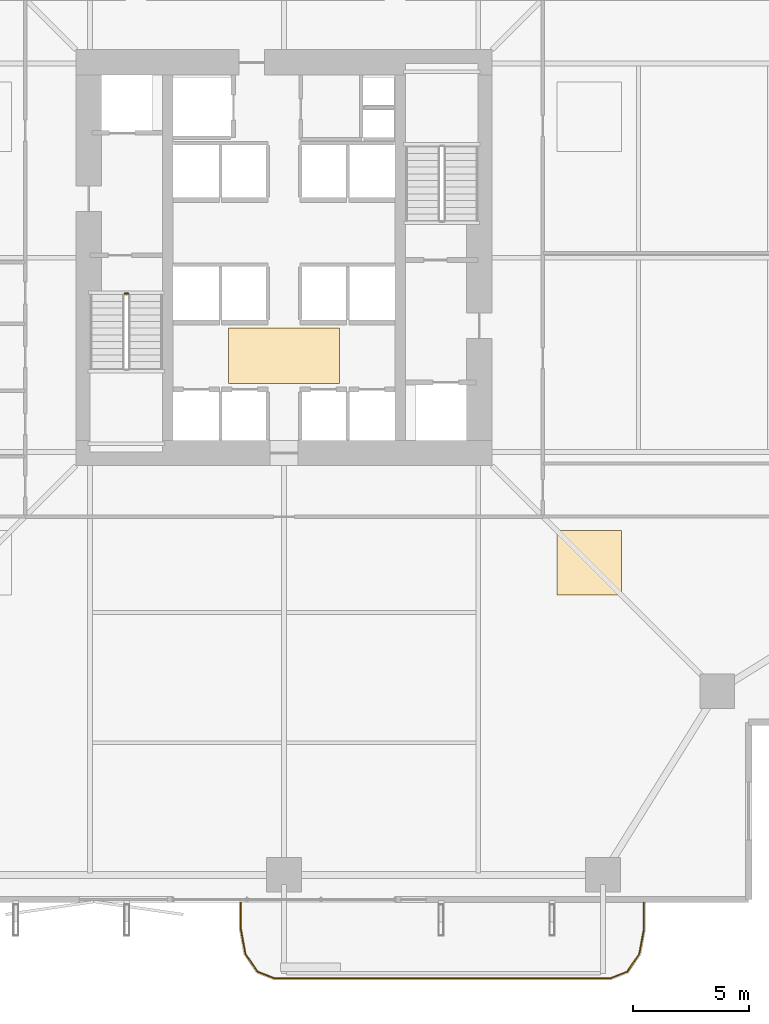
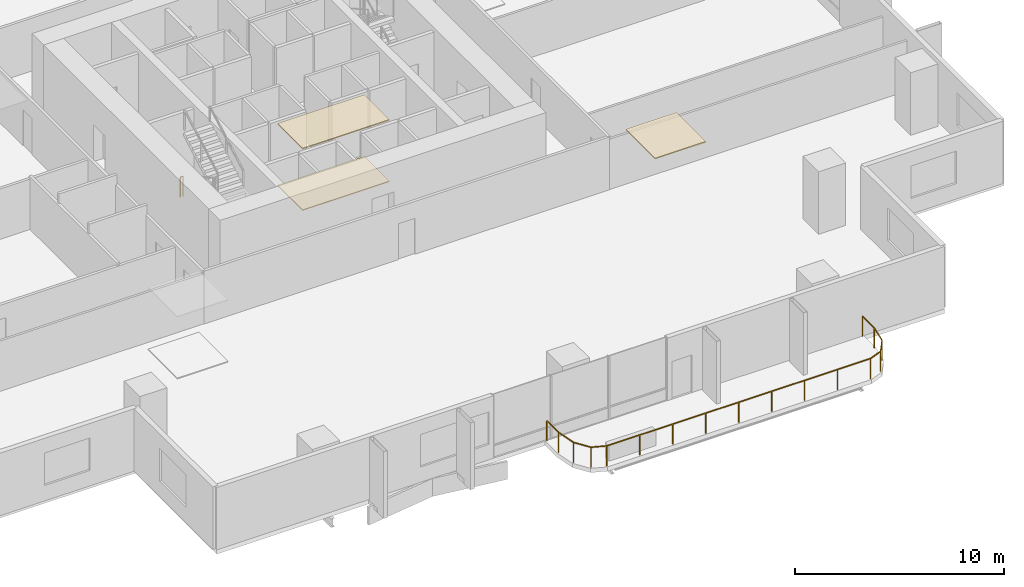
# One storey, part 21 of 23: 3 coverings, 2 railings.
"""IFC4 building model written with IfcOpenShell, lengths in metres."""

import ifcopenshell
import ifcopenshell.guid

model = None  # the IFC model being written
_history = None  # IfcOwnerHistory: only IFC2X3 demands one
_inside = {}  # id of a spatial element -> (the spatial element, [elements in it])
_under = {}  # id of a project, library or spatial element -> (it, [spatial elements below it])
_declared = {}  # id of a project -> (the project, [libraries it declares])
_typed = {}  # id of a type object -> (the type object, [elements of that type])
_made_of = {}  # id of a material, layer set ... -> (it, [elements and type objects made of it])


def new_model(schema):
    """Start an empty IFC model of exactly this schema.

    Asked for "IFC4X3", IfcOpenShell would pick the latest addendum, in which some entities
    have other attributes; the version numbers below select the first issue.
    IFC2X3 requires an IfcOwnerHistory on every rooted entity: one is made here for all.
    """
    global model, _history
    if schema == "IFC4X3":
        model = ifcopenshell.file(schema_version=(4, 3, 0, 0))
    else:
        model = ifcopenshell.file(schema=schema)
    _inside.clear()
    _under.clear()
    _declared.clear()
    _typed.clear()
    _made_of.clear()
    _history = None
    if model.schema == "IFC2X3":
        org = make("IfcOrganization", Name="unknown")
        user = make(
            "IfcPersonAndOrganization",
            ThePerson=make("IfcPerson", FamilyName="unknown"),
            TheOrganization=org,
        )
        app = make(
            "IfcApplication",
            ApplicationDeveloper=org,
            Version="unknown",
            ApplicationFullName="unknown",
            ApplicationIdentifier="unknown",
        )
        _history = make(
            "IfcOwnerHistory",
            OwningUser=user,
            OwningApplication=app,
            ChangeAction="ADDED",
            CreationDate=0,
        )
    return model


def make(cls, **values):
    """One entity of the class cls with the attributes given. An attribute that is None is left unset."""
    return model.create_entity(
        cls, **{name: value for name, value in values.items() if value is not None}
    )


def rooted(cls, **values):
    """An entity with a GlobalId (a new one), such as an element, a storey or a relation."""
    return make(cls, GlobalId=ifcopenshell.guid.new(), OwnerHistory=_history, **values)


def si_unit(unit_type, name, prefix=None):
    """IfcSIUnit, for example si_unit("LENGTHUNIT", "METRE", prefix="MILLI")."""
    return make("IfcSIUnit", UnitType=unit_type, Prefix=prefix, Name=name)


def assignment(units):
    """IfcUnitAssignment: the units of a project."""
    return None if units is None else make("IfcUnitAssignment", Units=units)


def point(xyz):
    """IfcCartesianPoint."""
    return None if xyz is None else make("IfcCartesianPoint", Coordinates=xyz)


def direction(xyz):
    """IfcDirection."""
    return None if xyz is None else make("IfcDirection", DirectionRatios=xyz)


def frame(location, z_axis=None, x_axis=None):
    """IfcAxis2Placement3D, a coordinate frame: its origin and axes. An axis left out is left unset."""
    return make(
        "IfcAxis2Placement3D",
        Location=point(location),
        Axis=direction(z_axis),
        RefDirection=direction(x_axis),
    )


def frame_2d(location, x_axis=None):
    """IfcAxis2Placement2D, a coordinate frame in the plane: its origin and x axis."""
    return make(
        "IfcAxis2Placement2D", Location=point(location), RefDirection=direction(x_axis)
    )


def origin():
    """The frame at (0, 0, 0) with its axes left unset."""
    return frame((0.0, 0.0, 0.0))


def origin_2d():
    """The frame at (0, 0) in the plane with its x axis left unset."""
    return frame_2d((0.0, 0.0))


def place(relative_to, where):
    """IfcLocalPlacement: puts the frame where relative to a parent placement (None: the world)."""
    return make(
        "IfcLocalPlacement", PlacementRelTo=relative_to, RelativePlacement=where
    )


def context(
    kind, dimensions, precision=None, world=None, true_north=None, identifier=None
):
    """IfcGeometricRepresentationContext, for example the 3D "Model" context."""
    return make(
        "IfcGeometricRepresentationContext",
        ContextIdentifier=identifier,
        ContextType=kind,
        CoordinateSpaceDimension=dimensions,
        Precision=precision,
        WorldCoordinateSystem=world,
        TrueNorth=true_north,
    )


def subcontext(parent, identifier, kind, view, scale=None):
    """IfcGeometricRepresentationSubContext, for example "Body" below "Model"."""
    return make(
        "IfcGeometricRepresentationSubContext",
        ContextIdentifier=identifier,
        ContextType=kind,
        ParentContext=parent,
        TargetScale=scale,
        TargetView=view,
    )


def project(units=None, contexts=None):
    """IfcProject with its units and contexts."""
    return rooted(
        "IfcProject",
        Name="project",
        RepresentationContexts=contexts,
        UnitsInContext=assignment(units),
    )


def spatial(cls, under=None, at=None, **own):
    """A site, building, storey or space (cls), placed at a placement, below another one or the project."""
    s = rooted(cls, ObjectPlacement=at, **own)
    if under is not None:
        _under.setdefault(under.id(), (under, []))[1].append(s)
    return s


def polyline(points):
    """IfcPolyline through the points."""
    return make("IfcPolyline", Points=[point(p) for p in points])


def profile(cls, at=None, kind="AREA", **sizes):
    """A parametric profile (cls). Its sizes go by their IFC names, for example OverallWidth=200.0."""
    return make(cls, ProfileType=kind, Position=at, **sizes)


def rectangle(**sizes):
    """IfcRectangleProfileDef."""
    return profile("IfcRectangleProfileDef", **sizes)


def outline(outer, holes=None, kind="AREA"):
    """IfcArbitraryClosedProfileDef: a profile drawn as a closed curve; with holes, ...WithVoids."""
    if holes is None:
        return make("IfcArbitraryClosedProfileDef", ProfileType=kind, OuterCurve=outer)
    return make(
        "IfcArbitraryProfileDefWithVoids",
        ProfileType=kind,
        OuterCurve=outer,
        InnerCurves=holes,
    )


def extrude(swept, where, along, depth):
    """IfcExtrudedAreaSolid: the profile swept, set in the frame where, extruded along a direction by depth."""
    return make(
        "IfcExtrudedAreaSolid",
        SweptArea=swept,
        Position=where,
        ExtrudedDirection=direction(along),
        Depth=depth,
    )


def shape(context_of_items, identifier, shape_type, items):
    """IfcShapeRepresentation: the items that make up one representation, for example the "Body"."""
    return make(
        "IfcShapeRepresentation",
        ContextOfItems=context_of_items,
        RepresentationIdentifier=identifier,
        RepresentationType=shape_type,
        Items=items,
    )


def material(Name=None, Category=None):
    """IfcMaterial."""
    return make("IfcMaterial", Name=Name, Category=Category)


def layer(
    of_material, thickness, ventilated=None, Name=None, Category=None, Priority=None
):
    """IfcMaterialLayer: one layer of a wall or slab, of a material (None: an air gap)."""
    return make(
        "IfcMaterialLayer",
        Material=of_material,
        LayerThickness=thickness,
        IsVentilated=ventilated,
        Name=Name,
        Category=Category,
        Priority=Priority,
    )


def layer_set(layers, Name=None):
    """IfcMaterialLayerSet."""
    return make("IfcMaterialLayerSet", MaterialLayers=layers, LayerSetName=Name)


def made_of(thing, what):
    """Note that an element or type object is made of a material, layer set ...; save() writes the relation."""
    if what is not None:
        _made_of.setdefault(what.id(), (what, []))[1].append(thing)
    return thing


def type_object(cls, material=None, **own):
    """A type object (cls), such as IfcWallType, which elements share."""
    return made_of(rooted(cls, **own), material)


def element(
    cls,
    number,
    at=None,
    inside=None,
    cuts=None,
    type_object=None,
    material=None,
    context=None,
    identifier="Body",
    shape_type=None,
    held_by="IfcProductDefinitionShape",
    body=None,
    shapes=None,
    **own,
):
    """One element of the class cls, such as IfcWall. Its Tag is "e" and its number.

    at: its placement. inside: the storey or other place that contains it. cuts: it is an
    opening in that element (IfcRelVoidsElement). A single representation is given by context,
    identifier, shape_type and body (its items); several are given by shapes. held_by: the class
    of the entity that holds the representations. save() writes the other relations.
    """
    e = rooted(cls, Tag="e%d" % number, ObjectPlacement=at, **own)
    if body is not None:
        shapes = [shape(context, identifier, shape_type, body)]
    if shapes is not None:
        e.Representation = make(held_by, Representations=shapes)
    if inside is not None:
        _inside.setdefault(inside.id(), (inside, []))[1].append(e)
    if cuts is not None:
        rooted(
            "IfcRelVoidsElement", RelatingBuildingElement=cuts, RelatedOpeningElement=e
        )
    if type_object is not None:
        _typed.setdefault(type_object.id(), (type_object, []))[1].append(e)
    return made_of(e, material)


def aggregate(whole, parts):
    """IfcRelAggregates: a whole, such as a stair, and the parts it consists of."""
    return rooted("IfcRelAggregates", RelatingObject=whole, RelatedObjects=parts)


def save(model, path):
    """Write the relations noted so far, then the file.

    IfcRelAggregates (storeys below a building ...), IfcRelContainedInSpatialStructure (elements
    in a storey), IfcRelDefinesByType, IfcRelAssociatesMaterial and IfcRelDeclares: one each for
    every whole, place, type object, material and project.
    """
    for whole, parts in _under.values():
        aggregate(whole, parts)
    for where, things in _inside.values():
        rooted(
            "IfcRelContainedInSpatialStructure",
            RelatedElements=things,
            RelatingStructure=where,
        )
    for kind, things in _typed.values():
        rooted("IfcRelDefinesByType", RelatedObjects=things, RelatingType=kind)
    for what, things in _made_of.values():
        rooted("IfcRelAssociatesMaterial", RelatedObjects=things, RelatingMaterial=what)
    for by, libraries in _declared.values():
        rooted("IfcRelDeclares", RelatingContext=by, RelatedDefinitions=libraries)
    model.write(path)


model = new_model("IFC4")

# Units and contexts
model_context = context("Model", 3, precision=1e-05, world=origin(), true_north=direction((0.0, 1.0)))
body_context = subcontext(model_context, "Body", "Model", "MODEL_VIEW")
ifc_project = project(units=[si_unit("LENGTHUNIT", "METRE"), si_unit("AREAUNIT", "SQUARE_METRE"), si_unit("VOLUMEUNIT", "CUBIC_METRE"), si_unit("PLANEANGLEUNIT", "RADIAN"), si_unit("MASSUNIT", "GRAM", prefix="KILO")], contexts=[model_context])

# Site, building, storey
site_placement = place(None, origin())
site = spatial("IfcSite", under=ifc_project, at=site_placement, CompositionType="ELEMENT")
building_placement = place(site_placement, origin())
building = spatial("IfcBuilding", under=site, at=building_placement, Name="Belovzor Exchange Tower", CompositionType="ELEMENT")
storey_placement = place(building_placement, frame((0.0, 0.0, 84.60009765625)))
storey = spatial("IfcBuildingStorey", under=building, at=storey_placement, Name="L20", CompositionType="ELEMENT", Elevation=84.60009765625)

# Railings
ifc_material_1 = material(Name="Stainless Steel and Laminated Safety Glass", Category="steel")
railing_type_1 = type_object("IfcRailingType", Name="Laminated Glass & Stainless Steel Balcony Balustrade 1200", PredefinedType="BALUSTRADE", material=ifc_material_1)
railing_1_placement = place(storey_placement, frame((26.929931640625, 0.889892578125, 0.0)))
element("IfcRailing", 1, at=railing_1_placement, inside=storey, type_object=railing_type_1, Name="GR-1 Balcony Balustrade L20 South", PredefinedType="BALUSTRADE", context=body_context, shape_type="SweptSolid", body=[
    extrude(rectangle(XDim=0.048095703125, YDim=0.048095703125, at=origin_2d()), frame((0.0, 0.0, 1.17578125), z_axis=(0.0, -1.0, 0.0), x_axis=(1.0, 0.0, 0.0)), (0.0, 0.0, 1.0), 1.1328125),
    extrude(rectangle(XDim=0.048095703125, YDim=0.048095703125, at=origin_2d()), frame((0.0, -1.1328125, 1.17578125), z_axis=(0.180083182347, -0.983651385113, 0.0), x_axis=(0.983651385113, 0.180083182347, 0.0)), (0.0, 0.0, 1.0), 1.093994140625),
    extrude(rectangle(XDim=0.048095703125, YDim=0.048095703125, at=origin_2d()), frame((0.197021484375, -2.208984375, 1.17578125), z_axis=(0.56294695933, -0.826493025367, 0.0), x_axis=(0.826493025367, 0.56294695933, 0.0)), (0.0, 0.0, 1.0), 0.932861328125),
    extrude(rectangle(XDim=0.048095703125, YDim=0.048095703125, at=origin_2d()), frame((0.72216796875, -2.97998046875, 1.17578125), z_axis=(0.930766990125, -0.365612923861, 0.0), x_axis=(0.365612923861, 0.930766990125, 0.0)), (0.0, 0.0, 1.0), 0.765869140625),
    extrude(rectangle(XDim=0.048095703125, YDim=0.048095703125, at=origin_2d()), frame((1.43505859375, -3.260009765625, 1.17578125), z_axis=(1.0, 0.0, 0.0), x_axis=(0.0, 1.0, 0.0)), (0.0, 0.0, 1.0), 14.570068359375),
    extrude(rectangle(XDim=0.048095703125, YDim=0.048095703125, at=origin_2d()), frame((16.005126953125, -3.260009765625, 1.17578125), z_axis=(0.930766990125, 0.365612923861, 0.0), x_axis=(-0.365612923861, 0.930766990125, 0.0)), (0.0, 0.0, 1.0), 0.765869140625),
    extrude(rectangle(XDim=0.048095703125, YDim=0.048095703125, at=origin_2d()), frame((16.718017578125, -2.97998046875, 1.17578125), z_axis=(0.56294695933, 0.826493025367, 0.0), x_axis=(-0.826493025367, 0.56294695933, 0.0)), (0.0, 0.0, 1.0), 0.932861328125),
    extrude(rectangle(XDim=0.048095703125, YDim=0.048095703125, at=origin_2d()), frame((17.2431640625, -2.208984375, 1.17578125), z_axis=(0.180083182347, 0.983651385113, 0.0), x_axis=(-0.983651385113, 0.180083182347, 0.0)), (0.0, 0.0, 1.0), 1.093994140625),
    extrude(rectangle(XDim=0.048095703125, YDim=0.048095703125, at=origin_2d()), frame((17.440185546875, -1.1328125, 1.17578125), z_axis=(0.0, 1.0, 0.0), x_axis=(-1.0, 0.0, 0.0)), (0.0, 0.0, 1.0), 1.1328125),
    extrude(rectangle(XDim=0.0419921875, YDim=0.0419921875, at=origin_2d()), origin(), (0.0, 0.0, 1.0), 1.15185546875),
    extrude(rectangle(XDim=0.0419921875, YDim=0.0419921875, at=origin_2d()), frame((0.0, -1.1328125, 0.0)), (0.0, 0.0, 1.0), 1.15185546875),
    extrude(rectangle(XDim=0.0419921875, YDim=0.0419921875, at=origin_2d()), frame((0.197021484375, -2.208984375, 0.0)), (0.0, 0.0, 1.0), 1.15185546875),
    extrude(rectangle(XDim=0.0419921875, YDim=0.0419921875, at=origin_2d()), frame((0.72216796875, -2.97998046875, 0.0)), (0.0, 0.0, 1.0), 1.15185546875),
    extrude(rectangle(XDim=0.0419921875, YDim=0.0419921875, at=origin_2d()), frame((1.43505859375, -3.260009765625, 0.0)), (0.0, 0.0, 1.0), 1.15185546875),
    extrude(rectangle(XDim=0.0419921875, YDim=0.0419921875, at=origin_2d()), frame((3.25634765625, -3.260009765625, 0.0)), (0.0, 0.0, 1.0), 1.15185546875),
    extrude(rectangle(XDim=0.0419921875, YDim=0.0419921875, at=origin_2d()), frame((5.07763671875, -3.260009765625, 0.0)), (0.0, 0.0, 1.0), 1.15185546875),
    extrude(rectangle(XDim=0.0419921875, YDim=0.0419921875, at=origin_2d()), frame((6.89892578125, -3.260009765625, 0.0)), (0.0, 0.0, 1.0), 1.15185546875),
    extrude(rectangle(XDim=0.0419921875, YDim=0.0419921875, at=origin_2d()), frame((8.72021484375, -3.260009765625, 0.0)), (0.0, 0.0, 1.0), 1.15185546875),
    extrude(rectangle(XDim=0.0419921875, YDim=0.0419921875, at=origin_2d()), frame((10.541259765625, -3.260009765625, 0.0)), (0.0, 0.0, 1.0), 1.15185546875),
    extrude(rectangle(XDim=0.0419921875, YDim=0.0419921875, at=origin_2d()), frame((12.362548828125, -3.260009765625, 0.0)), (0.0, 0.0, 1.0), 1.15185546875),
    extrude(rectangle(XDim=0.0419921875, YDim=0.0419921875, at=origin_2d()), frame((14.183837890625, -3.260009765625, 0.0)), (0.0, 0.0, 1.0), 1.15185546875),
    extrude(rectangle(XDim=0.0419921875, YDim=0.0419921875, at=origin_2d()), frame((16.005126953125, -3.260009765625, 0.0)), (0.0, 0.0, 1.0), 1.15185546875),
    extrude(rectangle(XDim=0.0419921875, YDim=0.0419921875, at=origin_2d()), frame((16.718017578125, -2.97998046875, 0.0)), (0.0, 0.0, 1.0), 1.15185546875),
    extrude(rectangle(XDim=0.0419921875, YDim=0.0419921875, at=origin_2d()), frame((17.2431640625, -2.208984375, 0.0)), (0.0, 0.0, 1.0), 1.15185546875),
    extrude(rectangle(XDim=0.0419921875, YDim=0.0419921875, at=origin_2d()), frame((17.440185546875, -1.1328125, 0.0)), (0.0, 0.0, 1.0), 1.15185546875),
    extrude(rectangle(XDim=0.0419921875, YDim=0.0419921875, at=origin_2d()), frame((17.440185546875, 0.0, 0.0)), (0.0, 0.0, 1.0), 1.15185546875),
])
ifc_material_2 = material(Name="Steel S355", Category="steel")
railing_type_2 = type_object("IfcRailingType", Name="Painted Steel Stairwell Guardrail 1200", PredefinedType="GUARDRAIL", material=ifc_material_2)
railing_2_placement = place(storey_placement, frame((21.89990234375, 27.25, 0.0)))
element("IfcRailing", 2, at=railing_2_placement, inside=storey, type_object=railing_type_2, Name="L20 ST-1 stair guard 4", PredefinedType="GUARDRAIL", context=body_context, shape_type="SweptSolid", body=[
    extrude(rectangle(XDim=0.048095703125, YDim=0.048095703125, at=origin_2d()), frame((0.0, 0.0, 1.17578125), z_axis=(1.0, 0.0, 0.0), x_axis=(0.0, 1.0, 0.0)), (0.0, 0.0, 1.0), 0.150146484375),
    extrude(rectangle(XDim=0.0419921875, YDim=0.0419921875, at=origin_2d()), origin(), (0.0, 0.0, 1.0), 1.15185546875),
    extrude(rectangle(XDim=0.0419921875, YDim=0.0419921875, at=origin_2d()), frame((0.150146484375, 0.0, 0.0)), (0.0, 0.0, 1.0), 1.15185546875),
])

# Coverings
ifc_material_3 = material(Name="Perforated Powder-Coated Aluminium", Category="aluminium")
ifc_layer_1 = layer(ifc_material_3, 0.06005859375)
ifc_layer_set_1 = layer_set([ifc_layer_1], Name="Perforated Powder-Coated Aluminium")
covering_type_1 = type_object("IfcCoveringType", Name="Perforated Acoustic Metal Tile Suspended Ceiling 60", PredefinedType="CEILING", material=ifc_layer_set_1)
covering_1_placement = place(storey_placement, frame((0.0, 0.0, 3.58984375)))
element("IfcCovering", 3, at=covering_1_placement, inside=storey, type_object=covering_type_1, Name="CLG-AC60 Suspended Ceiling CLG-L20-LOB", PredefinedType="CEILING", context=body_context, shape_type="SweptSolid", body=[
    extrude(outline(polyline([(26.39990234375, 23.35009765625), (31.199951171875, 23.35009765625), (31.199951171875, 25.75), (26.39990234375, 25.75), (26.39990234375, 23.35009765625)])), origin(), (0.0, 0.0, 1.0), 0.06005859375),
])
covering_2_placement = place(storey_placement, frame((0.0, 0.0, 3.58984375)))
element("IfcCovering", 4, at=covering_2_placement, inside=storey, type_object=covering_type_1, Name="CLG-AC60 Suspended Ceiling CLG-L20-Z1", PredefinedType="CEILING", context=body_context, shape_type="SweptSolid", body=[
    extrude(outline(polyline([(40.60009765625, 14.199951171875), (43.39990234375, 14.199951171875), (43.39990234375, 17.0), (40.60009765625, 17.0), (40.60009765625, 14.199951171875)])), origin(), (0.0, 0.0, 1.0), 0.06005859375),
])
ifc_material_4 = material(Name="Polished Natural Granite Tile", Category="masonry")
ifc_layer_2 = layer(ifc_material_4, 0.050048828125)
ifc_layer_set_2 = layer_set([ifc_layer_2], Name="Polished Natural Granite Tile")
covering_type_2 = type_object("IfcCoveringType", Name="Polished Karelian Granite & Raised Access Floor Finish 50", PredefinedType="FLOORING", material=ifc_layer_set_2)
covering_3_placement = place(storey_placement, origin())
element("IfcCovering", 5, at=covering_3_placement, inside=storey, type_object=covering_type_2, Name="FLR-GR50 Floor Finish FLR-L20-LOB", PredefinedType="FLOORING", context=body_context, shape_type="SweptSolid", body=[
    extrude(outline(polyline([(26.39990234375, 23.35009765625), (31.199951171875, 23.35009765625), (31.199951171875, 25.75), (26.39990234375, 25.75), (26.39990234375, 23.35009765625)])), origin(), (0.0, 0.0, 1.0), 0.0498046875),
])

save(model, "model.ifc")
